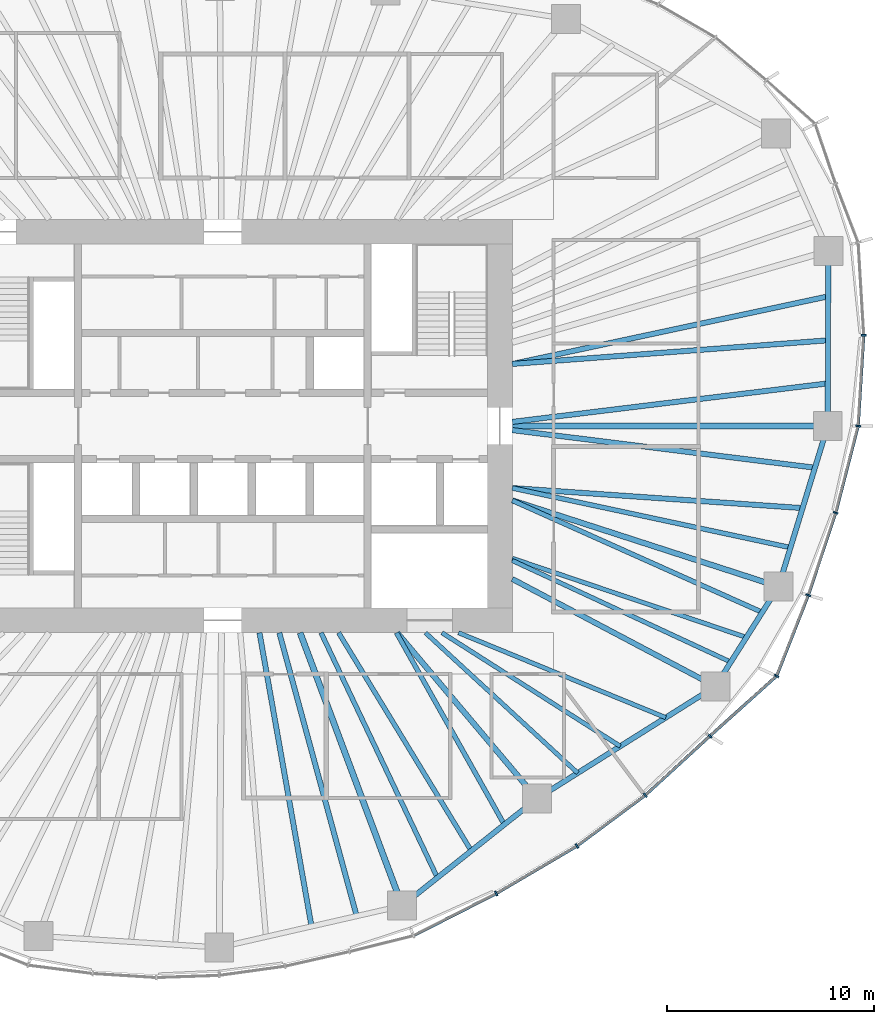
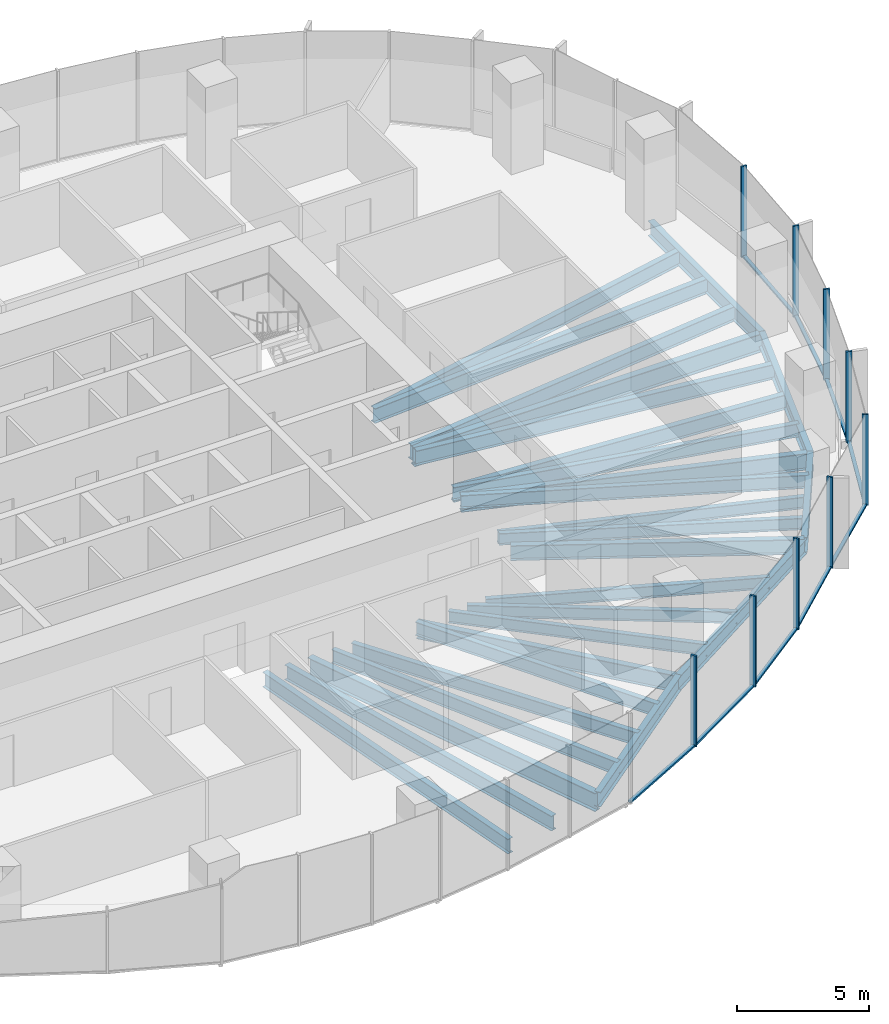
# One storey, part 4 of 18: 27 beams, 18 members, 5 elements without a shape of their own.
"""IFC4 building model written with IfcOpenShell, lengths in metres."""

from ifc_helpers import new_model, si_unit, direction, frame, origin, origin_2d, place, context, subcontext, project, spatial, rectangle, i_section, extrude, material, material_profile, profile_set, type_object, element, aggregate, save


model = new_model("IFC4")

# Units and contexts
model_context = context("Model", 3, precision=1e-05, world=origin(), true_north=direction((0.0, 1.0)))
body_context = subcontext(model_context, "Body", "Model", "MODEL_VIEW")
ifc_project = project(units=[si_unit("LENGTHUNIT", "METRE"), si_unit("AREAUNIT", "SQUARE_METRE"), si_unit("VOLUMEUNIT", "CUBIC_METRE"), si_unit("PLANEANGLEUNIT", "RADIAN"), si_unit("MASSUNIT", "GRAM", prefix="KILO")], contexts=[model_context])

# Site, building, storey
site_placement = place(None, origin())
site = spatial("IfcSite", under=ifc_project, at=site_placement, CompositionType="ELEMENT")
building_placement = place(site_placement, origin())
building = spatial("IfcBuilding", under=site, at=building_placement, Name="Ghaith Harvest Tower", CompositionType="ELEMENT")
storey_placement = place(building_placement, frame((0.0, 0.0, 159.60009765625)))
storey = spatial("IfcBuildingStorey", under=building, at=storey_placement, Name="L34", CompositionType="ELEMENT", Elevation=159.60009765625)

# Curtain wall, members
ifc_material_1 = material(Name="Black anodised aluminium and fritted glass", Category="aluminium")
curtain_wall_type = type_object("IfcCurtainWallType", Name="CW-L CURTAIN WALL", PredefinedType="NOTDEFINED", material=ifc_material_1)
curtain_wall_1_placement = place(storey_placement, origin())
curtain_wall_1 = element("IfcCurtainWall", 1, at=curtain_wall_1_placement, inside=storey, type_object=curtain_wall_type, Name="Curtain wall CW-L bay 01 L34", PredefinedType="NOTDEFINED")
ifc_material_2 = material(Name="Aluminium, black anodised", Category="aluminium")
ifc_material_profile_1 = material_profile(ifc_material_2, rectangle(XDim=0.080078125, YDim=0.239990234375, at=origin_2d()), Name="CW-L MULLION 80x240")
ifc_profile_set_1 = profile_set([ifc_material_profile_1], Name="Aluminium, black anodised")
member_type_1 = type_object("IfcMemberType", Name="CW-L MULLION 80x240", PredefinedType="MULLION", material=ifc_profile_set_1)
member_1_placement = place(storey_placement, frame((30.728759765625, 0.0, 0.0), z_axis=(0.0, 0.0, 1.0), x_axis=(0.155597142981, 0.987820595602, 0.0)))
member_1 = element("IfcMember", 2, at=member_1_placement, type_object=member_type_1, Name="CW-L mullion 1 bay 01 L34", PredefinedType="MULLION", context=body_context, shape_type="SweptSolid", body=[
    extrude(rectangle(XDim=0.080078125, YDim=0.239990234375, at=origin_2d()), origin(), (0.0, 0.0, 1.0), 4.199951171875),
])
member_2_placement = place(storey_placement, frame((30.998779296875, 4.389892578125, 0.0), z_axis=(0.0, 0.0, 1.0), x_axis=(-0.000162467394, 0.999999986802, 0.0)))
member_2 = element("IfcMember", 3, at=member_2_placement, type_object=member_type_1, Name="CW-L mullion 2 bay 01 L34", PredefinedType="MULLION", context=body_context, shape_type="SweptSolid", body=[
    extrude(rectangle(XDim=0.080078125, YDim=0.239990234375, at=origin_2d()), origin(), (0.0, 0.0, 1.0), 4.199951171875),
])

# Curtain wall, member
curtain_wall_2_placement = place(storey_placement, origin())
curtain_wall_2 = element("IfcCurtainWall", 4, at=curtain_wall_2_placement, inside=storey, type_object=curtain_wall_type, Name="Curtain wall CW-L bay 17 L34", PredefinedType="NOTDEFINED")
member_3_placement = place(storey_placement, frame((13.224365234375, -22.614013671875, 0.0), z_axis=(0.0, 0.0, 1.0), x_axis=(0.876898762173, 0.480675109507, 0.0)))
member_3 = element("IfcMember", 5, at=member_3_placement, type_object=member_type_1, Name="CW-L mullion 2 bay 17 L34", PredefinedType="MULLION", context=body_context, shape_type="SweptSolid", body=[
    extrude(rectangle(XDim=0.080078125, YDim=0.239990234375, at=origin_2d()), origin(), (0.0, 0.0, 1.0), 4.199951171875),
])

# Curtain wall, members
curtain_wall_3_placement = place(storey_placement, origin())
curtain_wall_3 = element("IfcCurtainWall", 6, at=curtain_wall_3_placement, inside=storey, type_object=curtain_wall_type, Name="Curtain wall CW-L bay 18 L34", PredefinedType="NOTDEFINED")
member_4_placement = place(storey_placement, frame((17.1318359375, -20.31591796875, 0.0), z_axis=(0.0, 0.0, 1.0), x_axis=(0.834887453241, 0.550420694035, 0.0)))
member_4 = element("IfcMember", 7, at=member_4_placement, type_object=member_type_1, Name="CW-L mullion 1 bay 18 L34", PredefinedType="MULLION", context=body_context, shape_type="SweptSolid", body=[
    extrude(rectangle(XDim=0.080078125, YDim=0.239990234375, at=origin_2d()), origin(), (0.0, 0.0, 1.0), 4.199951171875),
])
member_5_placement = place(storey_placement, frame((20.4296875, -17.86376953125, 0.0), z_axis=(0.0, 0.0, 1.0), x_axis=(0.770306399656, 0.637673937564, 0.0)))
member_5 = element("IfcMember", 8, at=member_5_placement, type_object=member_type_1, Name="CW-L mullion 2 bay 18 L34", PredefinedType="MULLION", context=body_context, shape_type="SweptSolid", body=[
    extrude(rectangle(XDim=0.080078125, YDim=0.239990234375, at=origin_2d()), origin(), (0.0, 0.0, 1.0), 4.199951171875),
])

curtain_wall_4_placement = place(storey_placement, origin())
curtain_wall_4 = element("IfcCurtainWall", 9, at=curtain_wall_4_placement, inside=storey, type_object=curtain_wall_type, Name="Curtain wall CW-L bay 19 L34", PredefinedType="NOTDEFINED")
member_6_placement = place(storey_placement, frame((23.560546875, -14.994140625, 0.0), z_axis=(0.0, 0.0, 1.0), x_axis=(0.740389054945, 0.672178582906, 0.0)))
member_6 = element("IfcMember", 10, at=member_6_placement, type_object=member_type_1, Name="CW-L mullion 1 bay 19 L34", PredefinedType="MULLION", context=body_context, shape_type="SweptSolid", body=[
    extrude(rectangle(XDim=0.080078125, YDim=0.239990234375, at=origin_2d()), origin(), (0.0, 0.0, 1.0), 4.199951171875),
])
member_7_placement = place(storey_placement, frame((26.786376953125, -12.0927734375, 0.0), z_axis=(0.0, 0.0, 1.0), x_axis=(0.572853476908, 0.819657790785, 0.0)))
member_7 = element("IfcMember", 11, at=member_7_placement, type_object=member_type_1, Name="CW-L mullion 2 bay 19 L34", PredefinedType="MULLION", context=body_context, shape_type="SweptSolid", body=[
    extrude(rectangle(XDim=0.080078125, YDim=0.239990234375, at=origin_2d()), origin(), (0.0, 0.0, 1.0), 4.199951171875),
])

curtain_wall_5_placement = place(storey_placement, origin())
curtain_wall_5 = element("IfcCurtainWall", 12, at=curtain_wall_5_placement, inside=storey, type_object=curtain_wall_type, Name="Curtain wall CW-L bay 20 L34", PredefinedType="NOTDEFINED")
member_8_placement = place(storey_placement, frame((28.319580078125, -8.184814453125, 0.0), z_axis=(0.0, 0.0, 1.0), x_axis=(0.34057402484, 0.94021770543, 0.0)))
member_8 = element("IfcMember", 13, at=member_8_placement, type_object=member_type_1, Name="CW-L mullion 1 bay 20 L34", PredefinedType="MULLION", context=body_context, shape_type="SweptSolid", body=[
    extrude(rectangle(XDim=0.080078125, YDim=0.239990234375, at=origin_2d()), origin(), (0.0, 0.0, 1.0), 4.199951171875),
])
member_9_placement = place(storey_placement, frame((29.64599609375, -4.1982421875, 0.0), z_axis=(0.0, 0.0, 1.0), x_axis=(0.282375140161, 0.959304060358, 0.0)))
member_9 = element("IfcMember", 14, at=member_9_placement, type_object=member_type_1, Name="CW-L mullion 2 bay 20 L34", PredefinedType="MULLION", context=body_context, shape_type="SweptSolid", body=[
    extrude(rectangle(XDim=0.080078125, YDim=0.239990234375, at=origin_2d()), origin(), (0.0, 0.0, 1.0), 4.199951171875),
])

# Member
ifc_material_3 = material(Name="Aluminium, black anodised", Category="aluminium")
ifc_material_profile_2 = material_profile(ifc_material_3, rectangle(XDim=0.14990234375, YDim=0.080078125, at=origin_2d()), Name="CW-L TRANSOM 150x80")
ifc_profile_set_2 = profile_set([ifc_material_profile_2], Name="Aluminium, black anodised")
member_type_2 = type_object("IfcMemberType", Name="CW-L TRANSOM 150x80", PredefinedType="USERDEFINED", material=ifc_profile_set_2)
member_10_placement = place(storey_placement, frame((30.731201171875, 0.0400390625, 0.039794921875), z_axis=(0.061403204251, 0.99811304295, 0.0), x_axis=(-0.99811304295, 0.061403204251, 0.0)))
member_10 = element("IfcMember", 15, at=member_10_placement, type_object=member_type_2, Name="CW-L transom 1 bay 01 L34", ObjectType="TRANSOM", PredefinedType="USERDEFINED", context=body_context, shape_type="SweptSolid", body=[
    extrude(rectangle(XDim=0.14990234375, YDim=0.080078125, at=origin_2d()), origin(), (0.0, 0.0, 1.0), 4.31787109375),
])

aggregate(curtain_wall_1, [member_1, member_10, member_2])

member_11_placement = place(storey_placement, frame((9.25244140625, -24.636474609375, 0.039794921875), z_axis=(0.891120044719, 0.453767634258, 0.0), x_axis=(-0.453767634258, 0.891120044719, 0.0)))
member_11 = element("IfcMember", 16, at=member_11_placement, type_object=member_type_2, Name="CW-L transom 1 bay 17 L34", ObjectType="TRANSOM", PredefinedType="USERDEFINED", context=body_context, shape_type="SweptSolid", body=[
    extrude(rectangle(XDim=0.14990234375, YDim=0.080078125, at=origin_2d()), origin(), (0.0, 0.0, 1.0), 4.417236328125),
])

member_12_placement = place(storey_placement, frame((13.259033203125, -22.59375, 0.039794921875), z_axis=(0.86196381091, 0.506969810424, 0.0), x_axis=(-0.506969810424, 0.86196381091, 0.0)))
member_12 = element("IfcMember", 17, at=member_12_placement, type_object=member_type_2, Name="CW-L transom 2 bay 17 L34", ObjectType="TRANSOM", PredefinedType="USERDEFINED", context=body_context, shape_type="SweptSolid", body=[
    extrude(rectangle(XDim=0.14990234375, YDim=0.080078125, at=origin_2d()), origin(), (0.0, 0.0, 1.0), 4.453125),
])

aggregate(curtain_wall_2, [member_11, member_3, member_12])

member_13_placement = place(storey_placement, frame((17.1640625, -20.2919921875, 0.039794921875), z_axis=(0.802465316609, 0.59669876457, 0.0), x_axis=(-0.59669876457, 0.802465316609, 0.0)))
member_13 = element("IfcMember", 18, at=member_13_placement, type_object=member_type_2, Name="CW-L transom 1 bay 18 L34", ObjectType="TRANSOM", PredefinedType="USERDEFINED", context=body_context, shape_type="SweptSolid", body=[
    extrude(rectangle(XDim=0.14990234375, YDim=0.080078125, at=origin_2d()), origin(), (0.0, 0.0, 1.0), 4.029296875),
])

member_14_placement = place(storey_placement, frame((20.459228515625, -17.836669921875, 0.039794921875), z_axis=(0.737197916434, 0.675676869521, 0.0), x_axis=(-0.675676869521, 0.737197916434, 0.0)))
member_14 = element("IfcMember", 19, at=member_14_placement, type_object=member_type_2, Name="CW-L transom 2 bay 18 L34", ObjectType="TRANSOM", PredefinedType="USERDEFINED", context=body_context, shape_type="SweptSolid", body=[
    extrude(rectangle(XDim=0.14990234375, YDim=0.080078125, at=origin_2d()), origin(), (0.0, 0.0, 1.0), 4.166748046875),
])

aggregate(curtain_wall_3, [member_4, member_13, member_5, member_14])

member_15_placement = place(storey_placement, frame((23.59033203125, -14.967529296875, 0.039794921875), z_axis=(0.74346800111, 0.668771509056, 0.0), x_axis=(-0.668771509056, 0.74346800111, 0.0)))
member_15 = element("IfcMember", 20, at=member_15_placement, type_object=member_type_2, Name="CW-L transom 1 bay 19 L34", ObjectType="TRANSOM", PredefinedType="USERDEFINED", context=body_context, shape_type="SweptSolid", body=[
    extrude(rectangle(XDim=0.14990234375, YDim=0.080078125, at=origin_2d()), origin(), (0.0, 0.0, 1.0), 4.2587890625),
])

member_16_placement = place(storey_placement, frame((26.801025390625, -12.055419921875, 0.039794921875), z_axis=(0.365228588652, 0.930917868575, 0.0), x_axis=(-0.930917868575, 0.365228588652, 0.0)))
member_16 = element("IfcMember", 21, at=member_16_placement, type_object=member_type_2, Name="CW-L transom 2 bay 19 L34", ObjectType="TRANSOM", PredefinedType="USERDEFINED", context=body_context, shape_type="SweptSolid", body=[
    extrude(rectangle(XDim=0.14990234375, YDim=0.080078125, at=origin_2d()), origin(), (0.0, 0.0, 1.0), 4.11767578125),
])

aggregate(curtain_wall_4, [member_6, member_15, member_7, member_16])

member_17_placement = place(storey_placement, frame((28.33203125, -8.14697265625, 0.039794921875), z_axis=(0.315712391444, 0.948854934059, 0.0), x_axis=(-0.948854934059, 0.315712391444, 0.0)))
member_17 = element("IfcMember", 22, at=member_17_placement, type_object=member_type_2, Name="CW-L transom 1 bay 20 L34", ObjectType="TRANSOM", PredefinedType="USERDEFINED", context=body_context, shape_type="SweptSolid", body=[
    extrude(rectangle(XDim=0.14990234375, YDim=0.080078125, at=origin_2d()), origin(), (0.0, 0.0, 1.0), 4.12158203125),
])

member_18_placement = place(storey_placement, frame((29.656005859375, -4.159423828125, 0.039794921875), z_axis=(0.249737470584, 0.968313583395, 0.0), x_axis=(-0.968313583395, 0.249737470584, 0.0)))
member_18 = element("IfcMember", 23, at=member_18_placement, type_object=member_type_2, Name="CW-L transom 2 bay 20 L34", ObjectType="TRANSOM", PredefinedType="USERDEFINED", context=body_context, shape_type="SweptSolid", body=[
    extrude(rectangle(XDim=0.14990234375, YDim=0.080078125, at=origin_2d()), origin(), (0.0, 0.0, 1.0), 4.25537109375),
])

aggregate(curtain_wall_5, [member_8, member_17, member_9, member_18])

# Beams
ifc_material_4 = material(Name="Steel ASTM A992 Grade 50", Category="steel")
ifc_material_profile_3 = material_profile(ifc_material_4, i_section(OverallWidth=0.25390625, OverallDepth=0.68408203125, WebThickness=0.012451171875, FlangeThickness=0.018798828125, at=origin_2d()), Name="W690X140")
ifc_profile_set_3 = profile_set([ifc_material_profile_3], Name="Steel ASTM A992 Grade 50")
beam_type_1 = type_object("IfcBeamType", Name="E690-140 W690X140", PredefinedType="SPANDREL", material=ifc_profile_set_3)
beam_1_placement = place(storey_placement, frame((29.259033203125, 0.0, -0.51220703125), z_axis=(0.003172847394, 0.999994966507, 0.0), x_axis=(-0.999994966507, 0.003172847394, 0.0)))
element("IfcBeam", 24, at=beam_1_placement, inside=storey, type_object=beam_type_1, Name="Edge beam E01 L34", PredefinedType="SPANDREL", context=body_context, shape_type="SweptSolid", body=[
    extrude(i_section(OverallWidth=0.25390625, OverallDepth=0.68408203125, WebThickness=0.012451171875, FlangeThickness=0.018798828125, at=origin_2d()), origin(), (0.0, 0.0, 1.0), 8.464111328125),
])
beam_2_placement = place(storey_placement, frame((8.674072265625, -23.202880859375, -0.51220703125), z_axis=(0.783159540917, 0.621820821033, 0.0), x_axis=(-0.621820821033, 0.783159540917, 0.0)))
element("IfcBeam", 25, at=beam_2_placement, inside=storey, type_object=beam_type_1, Name="Edge beam E17 L34", PredefinedType="SPANDREL", context=body_context, shape_type="SweptSolid", body=[
    extrude(i_section(OverallWidth=0.25390625, OverallDepth=0.68408203125, WebThickness=0.012451171875, FlangeThickness=0.018798828125, at=origin_2d()), origin(), (0.0, 0.0, 1.0), 8.330322265625),
])
beam_3_placement = place(storey_placement, frame((15.197998046875, -18.02294921875, -0.51220703125), z_axis=(0.846385185363, 0.532571232793, 0.0), x_axis=(-0.532571232793, 0.846385185363, 0.0)))
element("IfcBeam", 26, at=beam_3_placement, inside=storey, type_object=beam_type_1, Name="Edge beam E18 L34", PredefinedType="SPANDREL", context=body_context, shape_type="SweptSolid", body=[
    extrude(i_section(OverallWidth=0.25390625, OverallDepth=0.68408203125, WebThickness=0.012451171875, FlangeThickness=0.018798828125, at=origin_2d()), origin(), (0.0, 0.0, 1.0), 10.19384765625),
])
beam_4_placement = place(storey_placement, frame((23.825927734375, -12.593994140625, -0.51220703125), z_axis=(0.534499624093, 0.845168712059, 0.0), x_axis=(-0.845168712059, 0.534499624093, 0.0)))
element("IfcBeam", 27, at=beam_4_placement, inside=storey, type_object=beam_type_1, Name="Edge beam E19 L34", PredefinedType="SPANDREL", context=body_context, shape_type="SweptSolid", body=[
    extrude(i_section(OverallWidth=0.25390625, OverallDepth=0.68408203125, WebThickness=0.012451171875, FlangeThickness=0.018798828125, at=origin_2d()), origin(), (0.0, 0.0, 1.0), 5.7099609375),
])
beam_5_placement = place(storey_placement, frame((26.8779296875, -7.76806640625, -0.51220703125), z_axis=(0.293065809375, 0.956092271371, 0.0), x_axis=(-0.956092271371, 0.293065809375, 0.0)))
element("IfcBeam", 28, at=beam_5_placement, inside=storey, type_object=beam_type_1, Name="Edge beam E20 L34", PredefinedType="SPANDREL", context=body_context, shape_type="SweptSolid", body=[
    extrude(i_section(OverallWidth=0.25390625, OverallDepth=0.68408203125, WebThickness=0.012451171875, FlangeThickness=0.018798828125, at=origin_2d()), origin(), (0.0, 0.0, 1.0), 8.124755859375),
])
ifc_material_5 = material(Name="Steel ASTM A992 Grade 50", Category="steel")
ifc_material_profile_4 = material_profile(ifc_material_5, i_section(OverallWidth=0.256103515625, OverallDepth=0.693115234375, WebThickness=0.014404296875, FlangeThickness=0.023681640625, at=origin_2d()), Name="W690X170")
ifc_profile_set_4 = profile_set([ifc_material_profile_4], Name="Steel ASTM A992 Grade 50")
beam_type_2 = type_object("IfcBeamType", Name="G690-170 W690X170", PredefinedType="BEAM", material=ifc_profile_set_4)
beam_6_placement = place(storey_placement, frame((14.0, -7.39990234375, -0.5166015625), z_axis=(0.884080549082, -0.467334551189, 0.0), x_axis=(0.467334551189, 0.884080549082, 0.0)))
element("IfcBeam", 29, at=beam_6_placement, inside=storey, type_object=beam_type_2, Name="Radial girder G19 L34", PredefinedType="BEAM", context=body_context, shape_type="SweptSolid", body=[
    extrude(i_section(OverallWidth=0.256103515625, OverallDepth=0.693115234375, WebThickness=0.014404296875, FlangeThickness=0.023681640625, at=origin_2d()), origin(), (0.0, 0.0, 1.0), 11.1142578125),
])
ifc_material_6 = material(Name="Steel ASTM A992 Grade 50", Category="steel")
ifc_material_profile_5 = material_profile(ifc_material_6, i_section(OverallWidth=0.26806640625, OverallDepth=0.77001953125, WebThickness=0.015625, FlangeThickness=0.025390625, at=origin_2d()), Name="W760X196")
ifc_profile_set_5 = profile_set([ifc_material_profile_5], Name="Steel ASTM A992 Grade 50")
beam_type_3 = type_object("IfcBeamType", Name="G760-196 W760X196", PredefinedType="BEAM", material=ifc_profile_set_5)
beam_7_placement = place(storey_placement, frame((8.4326171875, -10.0, -0.55517578125), z_axis=(0.644649240595, -0.764478486682, 0.0), x_axis=(0.764478486682, 0.644649240595, 0.0)))
element("IfcBeam", 30, at=beam_7_placement, inside=storey, type_object=beam_type_3, Name="Radial girder G18 L34", PredefinedType="BEAM", context=body_context, shape_type="SweptSolid", body=[
    extrude(i_section(OverallWidth=0.26806640625, OverallDepth=0.77001953125, WebThickness=0.015625, FlangeThickness=0.025390625, at=origin_2d()), origin(), (0.0, 0.0, 1.0), 10.49462890625),
])
beam_8_placement = place(storey_placement, frame((14.0, -3.60009765625, -0.55517578125), z_axis=(0.951410331565, -0.307925934262, 0.0), x_axis=(0.307925934262, 0.951410331565, 0.0)))
element("IfcBeam", 31, at=beam_8_placement, inside=storey, type_object=beam_type_3, Name="Radial girder G20 L34", PredefinedType="BEAM", context=body_context, shape_type="SweptSolid", body=[
    extrude(i_section(OverallWidth=0.26806640625, OverallDepth=0.77001953125, WebThickness=0.015625, FlangeThickness=0.025390625, at=origin_2d()), origin(), (0.0, 0.0, 1.0), 13.53564453125),
])
ifc_material_7 = material(Name="Steel ASTM A992 Grade 50", Category="steel")
ifc_material_profile_6 = material_profile(ifc_material_7, i_section(OverallWidth=0.2939453125, OverallDepth=0.85107421875, WebThickness=0.01611328125, FlangeThickness=0.02685546875, at=origin_2d()), Name="W840X226")
ifc_profile_set_6 = profile_set([ifc_material_profile_6], Name="Steel ASTM A992 Grade 50")
beam_type_4 = type_object("IfcBeamType", Name="G840-226 W840X226", PredefinedType="BEAM", material=ifc_profile_set_6)
beam_9_placement = place(storey_placement, frame((14.0, 0.0, -0.595703125), z_axis=(1.0, 0.0, 0.0), x_axis=(0.0, 1.0, 0.0)))
element("IfcBeam", 32, at=beam_9_placement, inside=storey, type_object=beam_type_4, Name="Radial girder G01 L34", PredefinedType="BEAM", context=body_context, shape_type="SweptSolid", body=[
    extrude(i_section(OverallWidth=0.2939453125, OverallDepth=0.85107421875, WebThickness=0.01611328125, FlangeThickness=0.02685546875, at=origin_2d()), origin(), (0.0, 0.0, 1.0), 15.259033203125),
])
beam_10_placement = place(storey_placement, frame((3.73828125, -10.0, -0.595703125), z_axis=(0.350172283717, -0.936685310932, 0.0), x_axis=(0.936685310932, 0.350172283717, 0.0)))
element("IfcBeam", 33, at=beam_10_placement, inside=storey, type_object=beam_type_4, Name="Radial girder G17 L34", PredefinedType="BEAM", context=body_context, shape_type="SweptSolid", body=[
    extrude(i_section(OverallWidth=0.2939453125, OverallDepth=0.85107421875, WebThickness=0.01611328125, FlangeThickness=0.02685546875, at=origin_2d()), origin(), (0.0, 0.0, 1.0), 14.09521484375),
])
ifc_material_8 = material(Name="Steel ASTM A992 Grade 50", Category="steel")
ifc_material_profile_7 = material_profile(ifc_material_8, i_section(OverallWidth=0.2109375, OverallDepth=0.5390625, WebThickness=0.01171875, FlangeThickness=0.018798828125, at=origin_2d()), Name="W530X109")
ifc_profile_set_7 = profile_set([ifc_material_profile_7], Name="Steel ASTM A992 Grade 50")
beam_type_5 = type_object("IfcBeamType", Name="J530-109 W530X109", PredefinedType="JOIST", material=ifc_profile_set_7)
beam_11_placement = place(storey_placement, frame((9.800048828125, -10.0, -0.439697265625), z_axis=(0.735441512033, -0.677588210035, 0.0), x_axis=(0.677588210035, 0.735441512033, 0.0)))
element("IfcBeam", 34, at=beam_11_placement, inside=storey, type_object=beam_type_5, Name="Joist J18.1 L34", PredefinedType="JOIST", context=body_context, shape_type="SweptSolid", body=[
    extrude(i_section(OverallWidth=0.2109375, OverallDepth=0.5390625, WebThickness=0.01171875, FlangeThickness=0.018798828125, at=origin_2d()), origin(), (0.0, 0.0, 1.0), 10.01416015625),
])
beam_12_placement = place(storey_placement, frame((10.60009765625, -10.0, -0.439697265625), z_axis=(0.843584777848, -0.536996017288, 0.0), x_axis=(0.536996017288, 0.843584777848, 0.0)))
element("IfcBeam", 35, at=beam_12_placement, inside=storey, type_object=beam_type_5, Name="Joist J18.2 L34", PredefinedType="JOIST", context=body_context, shape_type="SweptSolid", body=[
    extrude(i_section(OverallWidth=0.2109375, OverallDepth=0.5390625, WebThickness=0.01171875, FlangeThickness=0.018798828125, at=origin_2d()), origin(), (0.0, 0.0, 1.0), 10.22314453125),
])
beam_13_placement = place(storey_placement, frame((11.39990234375, -10.0, -0.439697265625), z_axis=(0.925406878607, -0.378975077053, 0.0), x_axis=(0.378975077053, 0.925406878607, 0.0)))
element("IfcBeam", 36, at=beam_13_placement, inside=storey, type_object=beam_type_5, Name="Joist J18.3 L34", PredefinedType="JOIST", context=body_context, shape_type="SweptSolid", body=[
    extrude(i_section(OverallWidth=0.2109375, OverallDepth=0.5390625, WebThickness=0.01171875, FlangeThickness=0.018798828125, at=origin_2d()), origin(), (0.0, 0.0, 1.0), 10.83251953125),
])
beam_14_placement = place(storey_placement, frame((14.0, -6.506103515625, -0.439697265625), z_axis=(0.906863188232, -0.421425150922, 0.0), x_axis=(0.421425150922, 0.906863188232, 0.0)))
element("IfcBeam", 37, at=beam_14_placement, inside=storey, type_object=beam_type_5, Name="Joist J19.1 L34", PredefinedType="JOIST", context=body_context, shape_type="SweptSolid", body=[
    extrude(i_section(OverallWidth=0.2109375, OverallDepth=0.5390625, WebThickness=0.01171875, FlangeThickness=0.018798828125, at=origin_2d()), origin(), (0.0, 0.0, 1.0), 11.6552734375),
])
beam_15_placement = place(storey_placement, frame((14.0, -6.39990234375, -0.439697265625), z_axis=(0.947372072272, -0.320134591508, 0.0), x_axis=(0.320134591508, 0.947372072272, 0.0)))
element("IfcBeam", 38, at=beam_15_placement, inside=storey, type_object=beam_type_5, Name="Joist J19.2 L34", PredefinedType="JOIST", context=body_context, shape_type="SweptSolid", body=[
    extrude(i_section(OverallWidth=0.2109375, OverallDepth=0.5390625, WebThickness=0.01171875, FlangeThickness=0.018798828125, at=origin_2d()), origin(), (0.0, 0.0, 1.0), 11.95263671875),
])
ifc_material_9 = material(Name="Steel ASTM A992 Grade 50", Category="steel")
ifc_material_profile_8 = material_profile(ifc_material_9, i_section(OverallWidth=0.22900390625, OverallDepth=0.612060546875, WebThickness=0.011962890625, FlangeThickness=0.01953125, at=origin_2d()), Name="W610X125")
ifc_profile_set_8 = profile_set([ifc_material_profile_8], Name="Steel ASTM A992 Grade 50")
beam_type_6 = type_object("IfcBeamType", Name="J610-125 W610X125", PredefinedType="JOIST", material=ifc_profile_set_8)
beam_16_placement = place(storey_placement, frame((4.75, -10.0, -0.47607421875), z_axis=(0.429062888327, -0.903274619294, 0.0), x_axis=(0.903274619294, 0.429062888327, 0.0)))
element("IfcBeam", 39, at=beam_16_placement, inside=storey, type_object=beam_type_6, Name="Joist J17.1 L34", PredefinedType="JOIST", context=body_context, shape_type="SweptSolid", body=[
    extrude(i_section(OverallWidth=0.22900390625, OverallDepth=0.612060546875, WebThickness=0.011962890625, FlangeThickness=0.01953125, at=origin_2d()), origin(), (0.0, 0.0, 1.0), 13.118408203125),
])
beam_17_placement = place(storey_placement, frame((5.60009765625, -10.0, -0.47607421875), z_axis=(0.51969412955, -0.854352393167, 0.0), x_axis=(0.854352393167, 0.51969412955, 0.0)))
element("IfcBeam", 40, at=beam_17_placement, inside=storey, type_object=beam_type_6, Name="Joist J17.2 L34", PredefinedType="JOIST", context=body_context, shape_type="SweptSolid", body=[
    extrude(i_section(OverallWidth=0.22900390625, OverallDepth=0.612060546875, WebThickness=0.011962890625, FlangeThickness=0.01953125, at=origin_2d()), origin(), (0.0, 0.0, 1.0), 12.34716796875),
])
beam_18_placement = place(storey_placement, frame((8.39990234375, -10.0, -0.47607421875), z_axis=(0.489936713337, -0.871758003648, 0.0), x_axis=(0.871758003648, 0.489936713337, 0.0)))
element("IfcBeam", 41, at=beam_18_placement, inside=storey, type_object=beam_type_6, Name="Joist J17.3 L34", PredefinedType="JOIST", context=body_context, shape_type="SweptSolid", body=[
    extrude(i_section(OverallWidth=0.22900390625, OverallDepth=0.612060546875, WebThickness=0.011962890625, FlangeThickness=0.01953125, at=origin_2d()), origin(), (0.0, 0.0, 1.0), 10.64501953125),
])
beam_19_placement = place(storey_placement, frame((14.0, -3.60009765625, -0.47607421875), z_axis=(0.912738327266, -0.408544668231, 0.0), x_axis=(0.408544668231, 0.912738327266, 0.0)))
element("IfcBeam", 42, at=beam_19_placement, inside=storey, type_object=beam_type_6, Name="Joist J19.3 L34", PredefinedType="JOIST", context=body_context, shape_type="SweptSolid", body=[
    extrude(i_section(OverallWidth=0.22900390625, OverallDepth=0.612060546875, WebThickness=0.011962890625, FlangeThickness=0.01953125, at=origin_2d()), origin(), (0.0, 0.0, 1.0), 13.247314453125),
])
beam_20_placement = place(storey_placement, frame((14.0, -3.0, -0.47607421875), z_axis=(0.97783433664, -0.209380061343, 0.0), x_axis=(0.209380061343, 0.97783433664, 0.0)))
element("IfcBeam", 43, at=beam_20_placement, inside=storey, type_object=beam_type_6, Name="Joist J20.1 L34", PredefinedType="JOIST", context=body_context, shape_type="SweptSolid", body=[
    extrude(i_section(OverallWidth=0.22900390625, OverallDepth=0.612060546875, WebThickness=0.011962890625, FlangeThickness=0.01953125, at=origin_2d()), origin(), (0.0, 0.0, 1.0), 13.76123046875),
])
ifc_material_10 = material(Name="Steel ASTM A992 Grade 50", Category="steel")
ifc_material_profile_9 = material_profile(ifc_material_10, i_section(OverallWidth=0.25390625, OverallDepth=0.68408203125, WebThickness=0.012451171875, FlangeThickness=0.018798828125, at=origin_2d()), Name="W690X140")
ifc_profile_set_9 = profile_set([ifc_material_profile_9], Name="Steel ASTM A992 Grade 50")
beam_type_7 = type_object("IfcBeamType", Name="J690-140 W690X140", PredefinedType="JOIST", material=ifc_profile_set_9)
beam_21_placement = place(storey_placement, frame((14.0, 0.199951171875, -0.51220703125), z_axis=(0.992642759881, 0.121079937462, 0.0), x_axis=(-0.121079937462, 0.992642759881, 0.0)))
element("IfcBeam", 44, at=beam_21_placement, inside=storey, type_object=beam_type_7, Name="Joist J01.1 L34", PredefinedType="JOIST", context=body_context, shape_type="SweptSolid", body=[
    extrude(i_section(OverallWidth=0.25390625, OverallDepth=0.68408203125, WebThickness=0.012451171875, FlangeThickness=0.018798828125, at=origin_2d()), origin(), (0.0, 0.0, 1.0), 15.378662109375),
])
beam_22_placement = place(storey_placement, frame((14.0, 3.0, -0.51220703125), z_axis=(0.997200052902, 0.074780040735, 0.0), x_axis=(-0.074780040735, 0.997200052902, 0.0)))
element("IfcBeam", 45, at=beam_22_placement, inside=storey, type_object=beam_type_7, Name="Joist J01.2 L34", PredefinedType="JOIST", context=body_context, shape_type="SweptSolid", body=[
    extrude(i_section(OverallWidth=0.25390625, OverallDepth=0.68408203125, WebThickness=0.012451171875, FlangeThickness=0.018798828125, at=origin_2d()), origin(), (0.0, 0.0, 1.0), 15.315185546875),
])
beam_23_placement = place(storey_placement, frame((14.0, 3.0, -0.51220703125), z_axis=(0.977833271545, 0.209385035425, 0.0), x_axis=(-0.209385035425, 0.977833271545, 0.0)))
element("IfcBeam", 46, at=beam_23_placement, inside=storey, type_object=beam_type_7, Name="Joist J01.3 L34", PredefinedType="JOIST", context=body_context, shape_type="SweptSolid", body=[
    extrude(i_section(OverallWidth=0.25390625, OverallDepth=0.68408203125, WebThickness=0.012451171875, FlangeThickness=0.018798828125, at=origin_2d()), origin(), (0.0, 0.0, 1.0), 15.62548828125),
])
beam_24_placement = place(storey_placement, frame((1.772705078125, -10.0, -0.51220703125), z_axis=(0.174552818486, -0.98464781194, 0.0), x_axis=(0.98464781194, 0.174552818486, 0.0)))
element("IfcBeam", 47, at=beam_24_placement, inside=storey, type_object=beam_type_7, Name="Joist J16.2 L34", PredefinedType="JOIST", context=body_context, shape_type="SweptSolid", body=[
    extrude(i_section(OverallWidth=0.25390625, OverallDepth=0.68408203125, WebThickness=0.012451171875, FlangeThickness=0.018798828125, at=origin_2d()), origin(), (0.0, 0.0, 1.0), 14.42578125),
])
beam_25_placement = place(storey_placement, frame((2.73095703125, -10.0, -0.51220703125), z_axis=(0.263463446032, -0.964669379946, 0.0), x_axis=(0.964669379946, 0.263463446032, 0.0)))
element("IfcBeam", 48, at=beam_25_placement, inside=storey, type_object=beam_type_7, Name="Joist J16.3 L34", PredefinedType="JOIST", context=body_context, shape_type="SweptSolid", body=[
    extrude(i_section(OverallWidth=0.25390625, OverallDepth=0.68408203125, WebThickness=0.012451171875, FlangeThickness=0.018798828125, at=origin_2d()), origin(), (0.0, 0.0, 1.0), 14.20751953125),
])
beam_26_placement = place(storey_placement, frame((14.0, -3.0, -0.51220703125), z_axis=(0.997616678907, -0.068999724397, 0.0), x_axis=(0.068999724397, 0.997616678907, 0.0)))
element("IfcBeam", 49, at=beam_26_placement, inside=storey, type_object=beam_type_7, Name="Joist J20.2 L34", PredefinedType="JOIST", context=body_context, shape_type="SweptSolid", body=[
    extrude(i_section(OverallWidth=0.25390625, OverallDepth=0.68408203125, WebThickness=0.012451171875, FlangeThickness=0.018798828125, at=origin_2d()), origin(), (0.0, 0.0, 1.0), 14.0751953125),
])
beam_27_placement = place(storey_placement, frame((14.0, -0.199951171875, -0.51220703125), z_axis=(0.992379127816, -0.123222021874, 0.0), x_axis=(0.123222021874, 0.992379127816, 0.0)))
element("IfcBeam", 50, at=beam_27_placement, inside=storey, type_object=beam_type_7, Name="Joist J20.3 L34", PredefinedType="JOIST", context=body_context, shape_type="SweptSolid", body=[
    extrude(i_section(OverallWidth=0.25390625, OverallDepth=0.68408203125, WebThickness=0.012451171875, FlangeThickness=0.018798828125, at=origin_2d()), origin(), (0.0, 0.0, 1.0), 14.7529296875),
])

save(model, "model.ifc")
